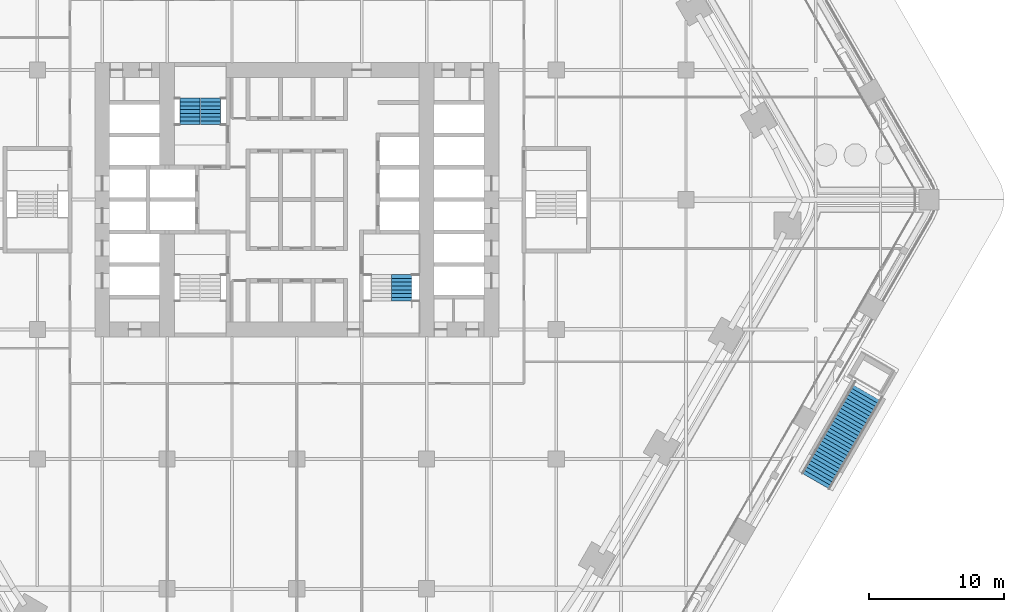
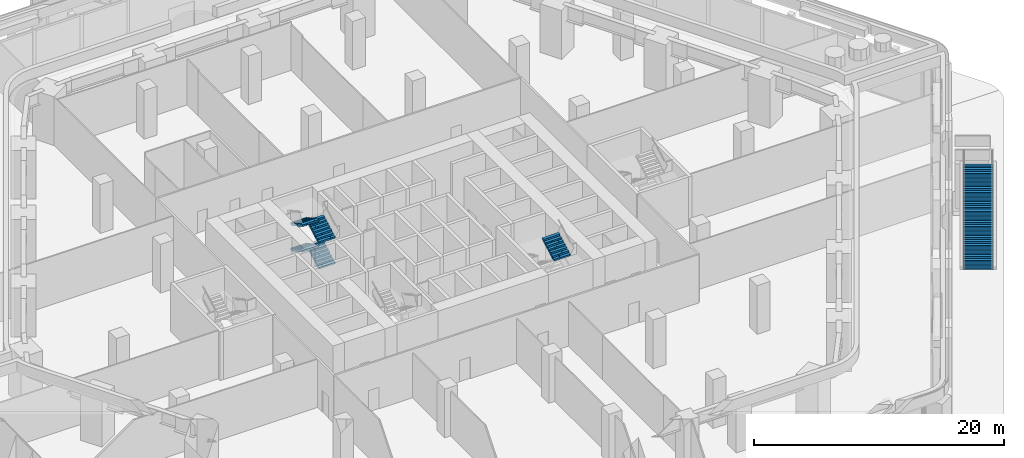
# One storey, part 26 of 34: 6 stair flights, 3 elements without a shape of their own.
"""IFC4 building model written with IfcOpenShell, lengths in metres."""

from ifc_helpers import new_model, si_unit, direction, frame, origin, place, context, subcontext, project, spatial, polyline, outline, extrude, material, type_object, element, aggregate, save


model = new_model("IFC4")

# Units and contexts
model_context = context("Model", 3, precision=1e-05, world=origin(), true_north=direction((0.0, 1.0)))
body_context = subcontext(model_context, "Body", "Model", "MODEL_VIEW")
ifc_project = project(units=[si_unit("LENGTHUNIT", "METRE"), si_unit("AREAUNIT", "SQUARE_METRE"), si_unit("VOLUMEUNIT", "CUBIC_METRE"), si_unit("PLANEANGLEUNIT", "RADIAN"), si_unit("MASSUNIT", "GRAM", prefix="KILO")], contexts=[model_context])

# Site, building, storey
site_placement = place(None, origin())
site = spatial("IfcSite", under=ifc_project, at=site_placement, CompositionType="ELEMENT")
building_placement = place(site_placement, origin())
building = spatial("IfcBuilding", under=site, at=building_placement, Name="Kolab Exchange Tower", CompositionType="ELEMENT")
storey_placement = place(building_placement, frame((0.0, 0.0, 12.39990234375)))
storey = spatial("IfcBuildingStorey", under=building, at=storey_placement, Name="L02", CompositionType="ELEMENT", Elevation=12.39990234375)

# Stair, stair flight
ifc_material_1 = material(Name="Concrete C40/50", Category="concrete")
stair_type_1 = type_object("IfcStairType", Name="GARDEN STAIR RUN A", PredefinedType="STRAIGHT_RUN_STAIR", material=ifc_material_1)
stair_1_placement = place(storey_placement, origin())
stair_1 = element("IfcStair", 1, at=stair_1_placement, inside=storey, type_object=stair_type_1, Name="Garden stair GS3 run A", PredefinedType="STRAIGHT_RUN_STAIR")
stair_flight_type_1 = type_object("IfcStairFlightType", Name="GARDEN STAIR FLIGHT A", PredefinedType="STRAIGHT", material=ifc_material_1)
stair_flight_1_placement = place(storey_placement, frame((38.398681640625, -20.830078125, 0.0), z_axis=(0.0, 0.0, 1.0), x_axis=(0.5, 0.866025403784, 0.0)))
stair_flight_1 = element("IfcStairFlight", 2, at=stair_flight_1_placement, type_object=stair_flight_type_1, Name="GS3 flight 1", NumberOfRisers=29, NumberOfTreads=28, PredefinedType="STRAIGHT", RiserHeight=0.172414, TreadLength=0.28, context=body_context, shape_type="SweptSolid", body=[
    extrude(outline(polyline([(0.0, 0.0), (0.0, 0.17236328125), (0.280029296875, 0.17236328125), (0.280029296875, 0.3447265625), (0.56005859375, 0.3447265625), (0.56005859375, 0.517333984375), (0.840087890625, 0.517333984375), (0.840087890625, 0.689697265625), (1.1201171875, 0.689697265625), (1.1201171875, 0.862060546875), (1.39990234375, 0.862060546875), (1.39990234375, 1.034423828125), (1.679931640625, 1.034423828125), (1.679931640625, 1.206787109375), (1.9599609375, 1.206787109375), (1.9599609375, 1.37939453125), (2.239990234375, 1.37939453125), (2.239990234375, 1.5517578125), (2.52001953125, 1.5517578125), (2.52001953125, 1.72412109375), (2.800048828125, 1.72412109375), (2.800048828125, 1.896484375), (3.080078125, 1.896484375), (3.080078125, 2.06884765625), (3.360107421875, 2.06884765625), (3.360107421875, 2.241455078125), (3.639892578125, 2.241455078125), (3.639892578125, 2.413818359375), (3.919921875, 2.413818359375), (3.919921875, 2.586181640625), (4.199951171875, 2.586181640625), (4.199951171875, 2.758544921875), (4.47998046875, 2.758544921875), (4.47998046875, 2.93115234375), (4.760009765625, 2.93115234375), (4.760009765625, 3.103515625), (5.0400390625, 3.103515625), (5.0400390625, 3.27587890625), (5.320068359375, 3.27587890625), (5.320068359375, 3.4482421875), (5.60009765625, 3.4482421875), (5.60009765625, 3.62060546875), (5.8798828125, 3.62060546875), (5.8798828125, 3.793212890625), (6.159912109375, 3.793212890625), (6.159912109375, 3.965576171875), (6.43994140625, 3.965576171875), (6.43994140625, 4.137939453125), (6.719970703125, 4.137939453125), (6.719970703125, 4.310302734375), (7.0, 4.310302734375), (7.0, 4.482666015625), (7.280029296875, 4.482666015625), (7.280029296875, 4.6552734375), (7.56005859375, 4.6552734375), (7.56005859375, 4.82763671875), (7.840087890625, 4.82763671875), (7.840087890625, 5.0), (7.840087890625, 4.651611328125), (0.285888671875, 0.0), (0.0, 0.0)])), frame((0.0, 1.199951171875, 0.0), z_axis=(0.0, -1.0, 0.0), x_axis=(1.0, 0.0, 0.0)), (0.0, 0.0, 1.0), 2.39990234375),
])
aggregate(stair_1, [stair_flight_1])

# Stair, stair flights
ifc_material_2 = material(Name="Concrete C50/60", Category="concrete")
stair_type_2 = type_object("IfcStairType", Name="STAIR ST1 RISER 156.2", PredefinedType="DOUBLE_RETURN_STAIR", material=ifc_material_2)
stair_2_placement = place(storey_placement, origin())
stair_2 = element("IfcStair", 3, at=stair_2_placement, inside=storey, type_object=stair_type_2, Name="Stair 1", PredefinedType="DOUBLE_RETURN_STAIR")
stair_flight_type_2 = type_object("IfcStairFlightType", Name="STAIR FLIGHT 1500 RISER 156.2", PredefinedType="STRAIGHT", material=ifc_material_2)
stair_flight_2_placement = place(storey_placement, frame((-6.389892578125, 5.550048828125, 0.0), z_axis=(0.0, 0.0, 1.0), x_axis=(0.0, 1.0, 0.0)))
stair_flight_2 = element("IfcStairFlight", 4, at=stair_flight_2_placement, type_object=stair_flight_type_2, Name="ST1 flight 1", NumberOfRisers=8, NumberOfTreads=7, PredefinedType="STRAIGHT", RiserHeight=0.15625, TreadLength=0.28, context=body_context, shape_type="SweptSolid", body=[
    extrude(outline(polyline([(0.0, 0.0), (0.0, 0.15625), (0.280029296875, 0.15625), (0.280029296875, 0.3125), (0.56005859375, 0.3125), (0.56005859375, 0.46875), (0.840087890625, 0.46875), (0.840087890625, 0.625), (1.1201171875, 0.625), (1.1201171875, 0.78125), (1.39990234375, 0.78125), (1.39990234375, 0.9375), (1.679931640625, 0.9375), (1.679931640625, 1.09375), (1.9599609375, 1.09375), (1.9599609375, 1.25), (1.9599609375, 0.922119140625), (0.3076171875, 0.0), (0.0, 0.0)])), frame((0.0, 0.75, 0.0), z_axis=(0.0, -1.0, 0.0), x_axis=(1.0, 0.0, 0.0)), (0.0, 0.0, 1.0), 0.185791015625),
    extrude(outline(polyline([(0.0, 0.0), (0.0, 0.15625), (0.280029296875, 0.15625), (0.280029296875, 0.3125), (0.56005859375, 0.3125), (0.56005859375, 0.46875), (0.840087890625, 0.46875), (0.840087890625, 0.625), (1.1201171875, 0.625), (1.1201171875, 0.78125), (1.39990234375, 0.78125), (1.39990234375, 0.9375), (1.679931640625, 0.9375), (1.679931640625, 1.09375), (1.9599609375, 1.09375), (1.9599609375, 1.25), (1.9599609375, 0.922119140625), (0.3076171875, 0.0), (0.0, 0.0)])), frame((0.0, 0.562255859375, 0.0), z_axis=(0.0, -1.0, 0.0), x_axis=(1.0, 0.0, 0.0)), (0.0, 0.0, 1.0), 0.185791015625),
    extrude(outline(polyline([(0.0, 0.0), (0.0, 0.15625), (0.280029296875, 0.15625), (0.280029296875, 0.3125), (0.56005859375, 0.3125), (0.56005859375, 0.46875), (0.840087890625, 0.46875), (0.840087890625, 0.625), (1.1201171875, 0.625), (1.1201171875, 0.78125), (1.39990234375, 0.78125), (1.39990234375, 0.9375), (1.679931640625, 0.9375), (1.679931640625, 1.09375), (1.9599609375, 1.09375), (1.9599609375, 1.25), (1.9599609375, 0.922119140625), (0.3076171875, 0.0), (0.0, 0.0)])), frame((0.0, 0.37451171875, 0.0), z_axis=(0.0, -1.0, 0.0), x_axis=(1.0, 0.0, 0.0)), (0.0, 0.0, 1.0), 0.185791015625),
    extrude(outline(polyline([(0.0, 0.0), (0.0, 0.15625), (0.280029296875, 0.15625), (0.280029296875, 0.3125), (0.56005859375, 0.3125), (0.56005859375, 0.46875), (0.840087890625, 0.46875), (0.840087890625, 0.625), (1.1201171875, 0.625), (1.1201171875, 0.78125), (1.39990234375, 0.78125), (1.39990234375, 0.9375), (1.679931640625, 0.9375), (1.679931640625, 1.09375), (1.9599609375, 1.09375), (1.9599609375, 1.25), (1.9599609375, 0.922119140625), (0.3076171875, 0.0), (0.0, 0.0)])), frame((0.0, 0.186767578125, 0.0), z_axis=(0.0, -1.0, 0.0), x_axis=(1.0, 0.0, 0.0)), (0.0, 0.0, 1.0), 0.185791015625),
    extrude(outline(polyline([(0.0, 0.0), (0.0, 0.15625), (0.280029296875, 0.15625), (0.280029296875, 0.3125), (0.56005859375, 0.3125), (0.56005859375, 0.46875), (0.840087890625, 0.46875), (0.840087890625, 0.625), (1.1201171875, 0.625), (1.1201171875, 0.78125), (1.39990234375, 0.78125), (1.39990234375, 0.9375), (1.679931640625, 0.9375), (1.679931640625, 1.09375), (1.9599609375, 1.09375), (1.9599609375, 1.25), (1.9599609375, 0.922119140625), (0.3076171875, 0.0), (0.0, 0.0)])), frame((0.0, -0.0009765625, 0.0), z_axis=(0.0, -1.0, 0.0), x_axis=(1.0, 0.0, 0.0)), (0.0, 0.0, 1.0), 0.185791015625),
    extrude(outline(polyline([(0.0, 0.0), (0.0, 0.15625), (0.280029296875, 0.15625), (0.280029296875, 0.3125), (0.56005859375, 0.3125), (0.56005859375, 0.46875), (0.840087890625, 0.46875), (0.840087890625, 0.625), (1.1201171875, 0.625), (1.1201171875, 0.78125), (1.39990234375, 0.78125), (1.39990234375, 0.9375), (1.679931640625, 0.9375), (1.679931640625, 1.09375), (1.9599609375, 1.09375), (1.9599609375, 1.25), (1.9599609375, 0.922119140625), (0.3076171875, 0.0), (0.0, 0.0)])), frame((0.0, -0.188720703125, 0.0), z_axis=(0.0, -1.0, 0.0), x_axis=(1.0, 0.0, 0.0)), (0.0, 0.0, 1.0), 0.185791015625),
    extrude(outline(polyline([(0.0, 0.0), (0.0, 0.15625), (0.280029296875, 0.15625), (0.280029296875, 0.3125), (0.56005859375, 0.3125), (0.56005859375, 0.46875), (0.840087890625, 0.46875), (0.840087890625, 0.625), (1.1201171875, 0.625), (1.1201171875, 0.78125), (1.39990234375, 0.78125), (1.39990234375, 0.9375), (1.679931640625, 0.9375), (1.679931640625, 1.09375), (1.9599609375, 1.09375), (1.9599609375, 1.25), (1.9599609375, 0.922119140625), (0.3076171875, 0.0), (0.0, 0.0)])), frame((0.0, -0.37646484375, 0.0), z_axis=(0.0, -1.0, 0.0), x_axis=(1.0, 0.0, 0.0)), (0.0, 0.0, 1.0), 0.185791015625),
    extrude(outline(polyline([(0.0, 0.0), (0.0, 0.15625), (0.280029296875, 0.15625), (0.280029296875, 0.3125), (0.56005859375, 0.3125), (0.56005859375, 0.46875), (0.840087890625, 0.46875), (0.840087890625, 0.625), (1.1201171875, 0.625), (1.1201171875, 0.78125), (1.39990234375, 0.78125), (1.39990234375, 0.9375), (1.679931640625, 0.9375), (1.679931640625, 1.09375), (1.9599609375, 1.09375), (1.9599609375, 1.25), (1.9599609375, 0.922119140625), (0.3076171875, 0.0), (0.0, 0.0)])), frame((0.0, -0.564208984375, 0.0), z_axis=(0.0, -1.0, 0.0), x_axis=(1.0, 0.0, 0.0)), (0.0, 0.0, 1.0), 0.185791015625),
])
stair_flight_3_placement = place(storey_placement, frame((-7.909912109375, 7.510009765625, 1.25), z_axis=(0.0, 0.0, 1.0), x_axis=(0.0, -1.0, 0.0)))
stair_flight_3 = element("IfcStairFlight", 5, at=stair_flight_3_placement, type_object=stair_flight_type_2, Name="ST1 flight 2", NumberOfRisers=8, NumberOfTreads=7, PredefinedType="STRAIGHT", RiserHeight=0.15625, TreadLength=0.28, context=body_context, shape_type="SweptSolid", body=[
    extrude(outline(polyline([(0.0, 0.0), (0.0, 0.15625), (0.280029296875, 0.15625), (0.280029296875, 0.3125), (0.56005859375, 0.3125), (0.56005859375, 0.46875), (0.840087890625, 0.46875), (0.840087890625, 0.625), (1.1201171875, 0.625), (1.1201171875, 0.78125), (1.39990234375, 0.78125), (1.39990234375, 0.9375), (1.679931640625, 0.9375), (1.679931640625, 1.09375), (1.9599609375, 1.09375), (1.9599609375, 1.25), (1.9599609375, 0.922119140625), (0.3076171875, 0.0), (0.0, 0.0)])), frame((0.0, 0.75, 0.0), z_axis=(0.0, -1.0, 0.0), x_axis=(1.0, 0.0, 0.0)), (0.0, 0.0, 1.0), 0.185791015625),
    extrude(outline(polyline([(0.0, 0.0), (0.0, 0.15625), (0.280029296875, 0.15625), (0.280029296875, 0.3125), (0.56005859375, 0.3125), (0.56005859375, 0.46875), (0.840087890625, 0.46875), (0.840087890625, 0.625), (1.1201171875, 0.625), (1.1201171875, 0.78125), (1.39990234375, 0.78125), (1.39990234375, 0.9375), (1.679931640625, 0.9375), (1.679931640625, 1.09375), (1.9599609375, 1.09375), (1.9599609375, 1.25), (1.9599609375, 0.922119140625), (0.3076171875, 0.0), (0.0, 0.0)])), frame((0.0, 0.562255859375, 0.0), z_axis=(0.0, -1.0, 0.0), x_axis=(1.0, 0.0, 0.0)), (0.0, 0.0, 1.0), 0.185791015625),
    extrude(outline(polyline([(0.0, 0.0), (0.0, 0.15625), (0.280029296875, 0.15625), (0.280029296875, 0.3125), (0.56005859375, 0.3125), (0.56005859375, 0.46875), (0.840087890625, 0.46875), (0.840087890625, 0.625), (1.1201171875, 0.625), (1.1201171875, 0.78125), (1.39990234375, 0.78125), (1.39990234375, 0.9375), (1.679931640625, 0.9375), (1.679931640625, 1.09375), (1.9599609375, 1.09375), (1.9599609375, 1.25), (1.9599609375, 0.922119140625), (0.3076171875, 0.0), (0.0, 0.0)])), frame((0.0, 0.37451171875, 0.0), z_axis=(0.0, -1.0, 0.0), x_axis=(1.0, 0.0, 0.0)), (0.0, 0.0, 1.0), 0.185791015625),
    extrude(outline(polyline([(0.0, 0.0), (0.0, 0.15625), (0.280029296875, 0.15625), (0.280029296875, 0.3125), (0.56005859375, 0.3125), (0.56005859375, 0.46875), (0.840087890625, 0.46875), (0.840087890625, 0.625), (1.1201171875, 0.625), (1.1201171875, 0.78125), (1.39990234375, 0.78125), (1.39990234375, 0.9375), (1.679931640625, 0.9375), (1.679931640625, 1.09375), (1.9599609375, 1.09375), (1.9599609375, 1.25), (1.9599609375, 0.922119140625), (0.3076171875, 0.0), (0.0, 0.0)])), frame((0.0, 0.186767578125, 0.0), z_axis=(0.0, -1.0, 0.0), x_axis=(1.0, 0.0, 0.0)), (0.0, 0.0, 1.0), 0.185791015625),
    extrude(outline(polyline([(0.0, 0.0), (0.0, 0.15625), (0.280029296875, 0.15625), (0.280029296875, 0.3125), (0.56005859375, 0.3125), (0.56005859375, 0.46875), (0.840087890625, 0.46875), (0.840087890625, 0.625), (1.1201171875, 0.625), (1.1201171875, 0.78125), (1.39990234375, 0.78125), (1.39990234375, 0.9375), (1.679931640625, 0.9375), (1.679931640625, 1.09375), (1.9599609375, 1.09375), (1.9599609375, 1.25), (1.9599609375, 0.922119140625), (0.3076171875, 0.0), (0.0, 0.0)])), frame((0.0, -0.0009765625, 0.0), z_axis=(0.0, -1.0, 0.0), x_axis=(1.0, 0.0, 0.0)), (0.0, 0.0, 1.0), 0.185791015625),
    extrude(outline(polyline([(0.0, 0.0), (0.0, 0.15625), (0.280029296875, 0.15625), (0.280029296875, 0.3125), (0.56005859375, 0.3125), (0.56005859375, 0.46875), (0.840087890625, 0.46875), (0.840087890625, 0.625), (1.1201171875, 0.625), (1.1201171875, 0.78125), (1.39990234375, 0.78125), (1.39990234375, 0.9375), (1.679931640625, 0.9375), (1.679931640625, 1.09375), (1.9599609375, 1.09375), (1.9599609375, 1.25), (1.9599609375, 0.922119140625), (0.3076171875, 0.0), (0.0, 0.0)])), frame((0.0, -0.188720703125, 0.0), z_axis=(0.0, -1.0, 0.0), x_axis=(1.0, 0.0, 0.0)), (0.0, 0.0, 1.0), 0.185791015625),
    extrude(outline(polyline([(0.0, 0.0), (0.0, 0.15625), (0.280029296875, 0.15625), (0.280029296875, 0.3125), (0.56005859375, 0.3125), (0.56005859375, 0.46875), (0.840087890625, 0.46875), (0.840087890625, 0.625), (1.1201171875, 0.625), (1.1201171875, 0.78125), (1.39990234375, 0.78125), (1.39990234375, 0.9375), (1.679931640625, 0.9375), (1.679931640625, 1.09375), (1.9599609375, 1.09375), (1.9599609375, 1.25), (1.9599609375, 0.922119140625), (0.3076171875, 0.0), (0.0, 0.0)])), frame((0.0, -0.37646484375, 0.0), z_axis=(0.0, -1.0, 0.0), x_axis=(1.0, 0.0, 0.0)), (0.0, 0.0, 1.0), 0.185791015625),
    extrude(outline(polyline([(0.0, 0.0), (0.0, 0.15625), (0.280029296875, 0.15625), (0.280029296875, 0.3125), (0.56005859375, 0.3125), (0.56005859375, 0.46875), (0.840087890625, 0.46875), (0.840087890625, 0.625), (1.1201171875, 0.625), (1.1201171875, 0.78125), (1.39990234375, 0.78125), (1.39990234375, 0.9375), (1.679931640625, 0.9375), (1.679931640625, 1.09375), (1.9599609375, 1.09375), (1.9599609375, 1.25), (1.9599609375, 0.922119140625), (0.3076171875, 0.0), (0.0, 0.0)])), frame((0.0, -0.564208984375, 0.0), z_axis=(0.0, -1.0, 0.0), x_axis=(1.0, 0.0, 0.0)), (0.0, 0.0, 1.0), 0.185791015625),
])
stair_flight_4_placement = place(storey_placement, frame((-6.389892578125, 5.550048828125, 2.5), z_axis=(0.0, 0.0, 1.0), x_axis=(0.0, 1.0, 0.0)))
stair_flight_4 = element("IfcStairFlight", 6, at=stair_flight_4_placement, type_object=stair_flight_type_2, Name="ST1 flight 3", NumberOfRisers=8, NumberOfTreads=7, PredefinedType="STRAIGHT", RiserHeight=0.15625, TreadLength=0.28, context=body_context, shape_type="SweptSolid", body=[
    extrude(outline(polyline([(0.0, 0.0), (0.0, 0.15625), (0.280029296875, 0.15625), (0.280029296875, 0.3125), (0.56005859375, 0.3125), (0.56005859375, 0.46875), (0.840087890625, 0.46875), (0.840087890625, 0.625), (1.1201171875, 0.625), (1.1201171875, 0.78125), (1.39990234375, 0.78125), (1.39990234375, 0.9375), (1.679931640625, 0.9375), (1.679931640625, 1.09375), (1.9599609375, 1.09375), (1.9599609375, 1.25), (1.9599609375, 0.922119140625), (0.3076171875, 0.0), (0.0, 0.0)])), frame((0.0, 0.75, 0.0), z_axis=(0.0, -1.0, 0.0), x_axis=(1.0, 0.0, 0.0)), (0.0, 0.0, 1.0), 0.185791015625),
    extrude(outline(polyline([(0.0, 0.0), (0.0, 0.15625), (0.280029296875, 0.15625), (0.280029296875, 0.3125), (0.56005859375, 0.3125), (0.56005859375, 0.46875), (0.840087890625, 0.46875), (0.840087890625, 0.625), (1.1201171875, 0.625), (1.1201171875, 0.78125), (1.39990234375, 0.78125), (1.39990234375, 0.9375), (1.679931640625, 0.9375), (1.679931640625, 1.09375), (1.9599609375, 1.09375), (1.9599609375, 1.25), (1.9599609375, 0.922119140625), (0.3076171875, 0.0), (0.0, 0.0)])), frame((0.0, 0.562255859375, 0.0), z_axis=(0.0, -1.0, 0.0), x_axis=(1.0, 0.0, 0.0)), (0.0, 0.0, 1.0), 0.185791015625),
    extrude(outline(polyline([(0.0, 0.0), (0.0, 0.15625), (0.280029296875, 0.15625), (0.280029296875, 0.3125), (0.56005859375, 0.3125), (0.56005859375, 0.46875), (0.840087890625, 0.46875), (0.840087890625, 0.625), (1.1201171875, 0.625), (1.1201171875, 0.78125), (1.39990234375, 0.78125), (1.39990234375, 0.9375), (1.679931640625, 0.9375), (1.679931640625, 1.09375), (1.9599609375, 1.09375), (1.9599609375, 1.25), (1.9599609375, 0.922119140625), (0.3076171875, 0.0), (0.0, 0.0)])), frame((0.0, 0.37451171875, 0.0), z_axis=(0.0, -1.0, 0.0), x_axis=(1.0, 0.0, 0.0)), (0.0, 0.0, 1.0), 0.185791015625),
    extrude(outline(polyline([(0.0, 0.0), (0.0, 0.15625), (0.280029296875, 0.15625), (0.280029296875, 0.3125), (0.56005859375, 0.3125), (0.56005859375, 0.46875), (0.840087890625, 0.46875), (0.840087890625, 0.625), (1.1201171875, 0.625), (1.1201171875, 0.78125), (1.39990234375, 0.78125), (1.39990234375, 0.9375), (1.679931640625, 0.9375), (1.679931640625, 1.09375), (1.9599609375, 1.09375), (1.9599609375, 1.25), (1.9599609375, 0.922119140625), (0.3076171875, 0.0), (0.0, 0.0)])), frame((0.0, 0.186767578125, 0.0), z_axis=(0.0, -1.0, 0.0), x_axis=(1.0, 0.0, 0.0)), (0.0, 0.0, 1.0), 0.185791015625),
    extrude(outline(polyline([(0.0, 0.0), (0.0, 0.15625), (0.280029296875, 0.15625), (0.280029296875, 0.3125), (0.56005859375, 0.3125), (0.56005859375, 0.46875), (0.840087890625, 0.46875), (0.840087890625, 0.625), (1.1201171875, 0.625), (1.1201171875, 0.78125), (1.39990234375, 0.78125), (1.39990234375, 0.9375), (1.679931640625, 0.9375), (1.679931640625, 1.09375), (1.9599609375, 1.09375), (1.9599609375, 1.25), (1.9599609375, 0.922119140625), (0.3076171875, 0.0), (0.0, 0.0)])), frame((0.0, -0.0009765625, 0.0), z_axis=(0.0, -1.0, 0.0), x_axis=(1.0, 0.0, 0.0)), (0.0, 0.0, 1.0), 0.185791015625),
    extrude(outline(polyline([(0.0, 0.0), (0.0, 0.15625), (0.280029296875, 0.15625), (0.280029296875, 0.3125), (0.56005859375, 0.3125), (0.56005859375, 0.46875), (0.840087890625, 0.46875), (0.840087890625, 0.625), (1.1201171875, 0.625), (1.1201171875, 0.78125), (1.39990234375, 0.78125), (1.39990234375, 0.9375), (1.679931640625, 0.9375), (1.679931640625, 1.09375), (1.9599609375, 1.09375), (1.9599609375, 1.25), (1.9599609375, 0.922119140625), (0.3076171875, 0.0), (0.0, 0.0)])), frame((0.0, -0.188720703125, 0.0), z_axis=(0.0, -1.0, 0.0), x_axis=(1.0, 0.0, 0.0)), (0.0, 0.0, 1.0), 0.185791015625),
    extrude(outline(polyline([(0.0, 0.0), (0.0, 0.15625), (0.280029296875, 0.15625), (0.280029296875, 0.3125), (0.56005859375, 0.3125), (0.56005859375, 0.46875), (0.840087890625, 0.46875), (0.840087890625, 0.625), (1.1201171875, 0.625), (1.1201171875, 0.78125), (1.39990234375, 0.78125), (1.39990234375, 0.9375), (1.679931640625, 0.9375), (1.679931640625, 1.09375), (1.9599609375, 1.09375), (1.9599609375, 1.25), (1.9599609375, 0.922119140625), (0.3076171875, 0.0), (0.0, 0.0)])), frame((0.0, -0.37646484375, 0.0), z_axis=(0.0, -1.0, 0.0), x_axis=(1.0, 0.0, 0.0)), (0.0, 0.0, 1.0), 0.185791015625),
    extrude(outline(polyline([(0.0, 0.0), (0.0, 0.15625), (0.280029296875, 0.15625), (0.280029296875, 0.3125), (0.56005859375, 0.3125), (0.56005859375, 0.46875), (0.840087890625, 0.46875), (0.840087890625, 0.625), (1.1201171875, 0.625), (1.1201171875, 0.78125), (1.39990234375, 0.78125), (1.39990234375, 0.9375), (1.679931640625, 0.9375), (1.679931640625, 1.09375), (1.9599609375, 1.09375), (1.9599609375, 1.25), (1.9599609375, 0.922119140625), (0.3076171875, 0.0), (0.0, 0.0)])), frame((0.0, -0.564208984375, 0.0), z_axis=(0.0, -1.0, 0.0), x_axis=(1.0, 0.0, 0.0)), (0.0, 0.0, 1.0), 0.185791015625),
])
stair_flight_5_placement = place(storey_placement, frame((-7.909912109375, 7.510009765625, 3.75), z_axis=(0.0, 0.0, 1.0), x_axis=(0.0, -1.0, 0.0)))
stair_flight_5 = element("IfcStairFlight", 7, at=stair_flight_5_placement, type_object=stair_flight_type_2, Name="ST1 flight 4", NumberOfRisers=8, NumberOfTreads=7, PredefinedType="STRAIGHT", RiserHeight=0.15625, TreadLength=0.28, context=body_context, shape_type="SweptSolid", body=[
    extrude(outline(polyline([(0.0, 0.0), (0.0, 0.15625), (0.280029296875, 0.15625), (0.280029296875, 0.3125), (0.56005859375, 0.3125), (0.56005859375, 0.46875), (0.840087890625, 0.46875), (0.840087890625, 0.625), (1.1201171875, 0.625), (1.1201171875, 0.78125), (1.39990234375, 0.78125), (1.39990234375, 0.9375), (1.679931640625, 0.9375), (1.679931640625, 1.09375), (1.9599609375, 1.09375), (1.9599609375, 1.25), (1.9599609375, 0.922119140625), (0.3076171875, 0.0), (0.0, 0.0)])), frame((0.0, 0.75, 0.0), z_axis=(0.0, -1.0, 0.0), x_axis=(1.0, 0.0, 0.0)), (0.0, 0.0, 1.0), 0.185791015625),
    extrude(outline(polyline([(0.0, 0.0), (0.0, 0.15625), (0.280029296875, 0.15625), (0.280029296875, 0.3125), (0.56005859375, 0.3125), (0.56005859375, 0.46875), (0.840087890625, 0.46875), (0.840087890625, 0.625), (1.1201171875, 0.625), (1.1201171875, 0.78125), (1.39990234375, 0.78125), (1.39990234375, 0.9375), (1.679931640625, 0.9375), (1.679931640625, 1.09375), (1.9599609375, 1.09375), (1.9599609375, 1.25), (1.9599609375, 0.922119140625), (0.3076171875, 0.0), (0.0, 0.0)])), frame((0.0, 0.562255859375, 0.0), z_axis=(0.0, -1.0, 0.0), x_axis=(1.0, 0.0, 0.0)), (0.0, 0.0, 1.0), 0.185791015625),
    extrude(outline(polyline([(0.0, 0.0), (0.0, 0.15625), (0.280029296875, 0.15625), (0.280029296875, 0.3125), (0.56005859375, 0.3125), (0.56005859375, 0.46875), (0.840087890625, 0.46875), (0.840087890625, 0.625), (1.1201171875, 0.625), (1.1201171875, 0.78125), (1.39990234375, 0.78125), (1.39990234375, 0.9375), (1.679931640625, 0.9375), (1.679931640625, 1.09375), (1.9599609375, 1.09375), (1.9599609375, 1.25), (1.9599609375, 0.922119140625), (0.3076171875, 0.0), (0.0, 0.0)])), frame((0.0, 0.37451171875, 0.0), z_axis=(0.0, -1.0, 0.0), x_axis=(1.0, 0.0, 0.0)), (0.0, 0.0, 1.0), 0.185791015625),
    extrude(outline(polyline([(0.0, 0.0), (0.0, 0.15625), (0.280029296875, 0.15625), (0.280029296875, 0.3125), (0.56005859375, 0.3125), (0.56005859375, 0.46875), (0.840087890625, 0.46875), (0.840087890625, 0.625), (1.1201171875, 0.625), (1.1201171875, 0.78125), (1.39990234375, 0.78125), (1.39990234375, 0.9375), (1.679931640625, 0.9375), (1.679931640625, 1.09375), (1.9599609375, 1.09375), (1.9599609375, 1.25), (1.9599609375, 0.922119140625), (0.3076171875, 0.0), (0.0, 0.0)])), frame((0.0, 0.186767578125, 0.0), z_axis=(0.0, -1.0, 0.0), x_axis=(1.0, 0.0, 0.0)), (0.0, 0.0, 1.0), 0.185791015625),
    extrude(outline(polyline([(0.0, 0.0), (0.0, 0.15625), (0.280029296875, 0.15625), (0.280029296875, 0.3125), (0.56005859375, 0.3125), (0.56005859375, 0.46875), (0.840087890625, 0.46875), (0.840087890625, 0.625), (1.1201171875, 0.625), (1.1201171875, 0.78125), (1.39990234375, 0.78125), (1.39990234375, 0.9375), (1.679931640625, 0.9375), (1.679931640625, 1.09375), (1.9599609375, 1.09375), (1.9599609375, 1.25), (1.9599609375, 0.922119140625), (0.3076171875, 0.0), (0.0, 0.0)])), frame((0.0, -0.0009765625, 0.0), z_axis=(0.0, -1.0, 0.0), x_axis=(1.0, 0.0, 0.0)), (0.0, 0.0, 1.0), 0.185791015625),
    extrude(outline(polyline([(0.0, 0.0), (0.0, 0.15625), (0.280029296875, 0.15625), (0.280029296875, 0.3125), (0.56005859375, 0.3125), (0.56005859375, 0.46875), (0.840087890625, 0.46875), (0.840087890625, 0.625), (1.1201171875, 0.625), (1.1201171875, 0.78125), (1.39990234375, 0.78125), (1.39990234375, 0.9375), (1.679931640625, 0.9375), (1.679931640625, 1.09375), (1.9599609375, 1.09375), (1.9599609375, 1.25), (1.9599609375, 0.922119140625), (0.3076171875, 0.0), (0.0, 0.0)])), frame((0.0, -0.188720703125, 0.0), z_axis=(0.0, -1.0, 0.0), x_axis=(1.0, 0.0, 0.0)), (0.0, 0.0, 1.0), 0.185791015625),
    extrude(outline(polyline([(0.0, 0.0), (0.0, 0.15625), (0.280029296875, 0.15625), (0.280029296875, 0.3125), (0.56005859375, 0.3125), (0.56005859375, 0.46875), (0.840087890625, 0.46875), (0.840087890625, 0.625), (1.1201171875, 0.625), (1.1201171875, 0.78125), (1.39990234375, 0.78125), (1.39990234375, 0.9375), (1.679931640625, 0.9375), (1.679931640625, 1.09375), (1.9599609375, 1.09375), (1.9599609375, 1.25), (1.9599609375, 0.922119140625), (0.3076171875, 0.0), (0.0, 0.0)])), frame((0.0, -0.37646484375, 0.0), z_axis=(0.0, -1.0, 0.0), x_axis=(1.0, 0.0, 0.0)), (0.0, 0.0, 1.0), 0.185791015625),
    extrude(outline(polyline([(0.0, 0.0), (0.0, 0.15625), (0.280029296875, 0.15625), (0.280029296875, 0.3125), (0.56005859375, 0.3125), (0.56005859375, 0.46875), (0.840087890625, 0.46875), (0.840087890625, 0.625), (1.1201171875, 0.625), (1.1201171875, 0.78125), (1.39990234375, 0.78125), (1.39990234375, 0.9375), (1.679931640625, 0.9375), (1.679931640625, 1.09375), (1.9599609375, 1.09375), (1.9599609375, 1.25), (1.9599609375, 0.922119140625), (0.3076171875, 0.0), (0.0, 0.0)])), frame((0.0, -0.564208984375, 0.0), z_axis=(0.0, -1.0, 0.0), x_axis=(1.0, 0.0, 0.0)), (0.0, 0.0, 1.0), 0.185791015625),
])
aggregate(stair_2, [stair_flight_2, stair_flight_3, stair_flight_4, stair_flight_5])

# Stair, stair flight
stair_type_3 = type_object("IfcStairType", Name="STAIR ST2 RISER 156.2", PredefinedType="DOUBLE_RETURN_STAIR", material=ifc_material_2)
stair_3_placement = place(storey_placement, origin())
stair_3 = element("IfcStair", 8, at=stair_3_placement, inside=storey, type_object=stair_type_3, Name="Stair 2", PredefinedType="DOUBLE_RETURN_STAIR")
stair_flight_6_placement = place(storey_placement, frame((7.760009765625, -7.510009765625, 3.75), z_axis=(0.0, 0.0, 1.0), x_axis=(0.0, 1.0, 0.0)))
stair_flight_6 = element("IfcStairFlight", 9, at=stair_flight_6_placement, type_object=stair_flight_type_2, Name="ST2 flight 4", NumberOfRisers=8, NumberOfTreads=7, PredefinedType="STRAIGHT", RiserHeight=0.15625, TreadLength=0.28, context=body_context, shape_type="SweptSolid", body=[
    extrude(outline(polyline([(0.0, 0.0), (0.0, 0.15625), (0.280029296875, 0.15625), (0.280029296875, 0.3125), (0.56005859375, 0.3125), (0.56005859375, 0.46875), (0.840087890625, 0.46875), (0.840087890625, 0.625), (1.1201171875, 0.625), (1.1201171875, 0.78125), (1.39990234375, 0.78125), (1.39990234375, 0.9375), (1.679931640625, 0.9375), (1.679931640625, 1.09375), (1.9599609375, 1.09375), (1.9599609375, 1.25), (1.9599609375, 0.922119140625), (0.3076171875, 0.0), (0.0, 0.0)])), frame((0.0, 0.75, 0.0), z_axis=(0.0, -1.0, 0.0), x_axis=(1.0, 0.0, 0.0)), (0.0, 0.0, 1.0), 0.185791015625),
    extrude(outline(polyline([(0.0, 0.0), (0.0, 0.15625), (0.280029296875, 0.15625), (0.280029296875, 0.3125), (0.56005859375, 0.3125), (0.56005859375, 0.46875), (0.840087890625, 0.46875), (0.840087890625, 0.625), (1.1201171875, 0.625), (1.1201171875, 0.78125), (1.39990234375, 0.78125), (1.39990234375, 0.9375), (1.679931640625, 0.9375), (1.679931640625, 1.09375), (1.9599609375, 1.09375), (1.9599609375, 1.25), (1.9599609375, 0.922119140625), (0.3076171875, 0.0), (0.0, 0.0)])), frame((0.0, 0.562255859375, 0.0), z_axis=(0.0, -1.0, 0.0), x_axis=(1.0, 0.0, 0.0)), (0.0, 0.0, 1.0), 0.185791015625),
    extrude(outline(polyline([(0.0, 0.0), (0.0, 0.15625), (0.280029296875, 0.15625), (0.280029296875, 0.3125), (0.56005859375, 0.3125), (0.56005859375, 0.46875), (0.840087890625, 0.46875), (0.840087890625, 0.625), (1.1201171875, 0.625), (1.1201171875, 0.78125), (1.39990234375, 0.78125), (1.39990234375, 0.9375), (1.679931640625, 0.9375), (1.679931640625, 1.09375), (1.9599609375, 1.09375), (1.9599609375, 1.25), (1.9599609375, 0.922119140625), (0.3076171875, 0.0), (0.0, 0.0)])), frame((0.0, 0.37451171875, 0.0), z_axis=(0.0, -1.0, 0.0), x_axis=(1.0, 0.0, 0.0)), (0.0, 0.0, 1.0), 0.185791015625),
    extrude(outline(polyline([(0.0, 0.0), (0.0, 0.15625), (0.280029296875, 0.15625), (0.280029296875, 0.3125), (0.56005859375, 0.3125), (0.56005859375, 0.46875), (0.840087890625, 0.46875), (0.840087890625, 0.625), (1.1201171875, 0.625), (1.1201171875, 0.78125), (1.39990234375, 0.78125), (1.39990234375, 0.9375), (1.679931640625, 0.9375), (1.679931640625, 1.09375), (1.9599609375, 1.09375), (1.9599609375, 1.25), (1.9599609375, 0.922119140625), (0.3076171875, 0.0), (0.0, 0.0)])), frame((0.0, 0.186767578125, 0.0), z_axis=(0.0, -1.0, 0.0), x_axis=(1.0, 0.0, 0.0)), (0.0, 0.0, 1.0), 0.185791015625),
    extrude(outline(polyline([(0.0, 0.0), (0.0, 0.15625), (0.280029296875, 0.15625), (0.280029296875, 0.3125), (0.56005859375, 0.3125), (0.56005859375, 0.46875), (0.840087890625, 0.46875), (0.840087890625, 0.625), (1.1201171875, 0.625), (1.1201171875, 0.78125), (1.39990234375, 0.78125), (1.39990234375, 0.9375), (1.679931640625, 0.9375), (1.679931640625, 1.09375), (1.9599609375, 1.09375), (1.9599609375, 1.25), (1.9599609375, 0.922119140625), (0.3076171875, 0.0), (0.0, 0.0)])), frame((0.0, -0.0009765625, 0.0), z_axis=(0.0, -1.0, 0.0), x_axis=(1.0, 0.0, 0.0)), (0.0, 0.0, 1.0), 0.185791015625),
    extrude(outline(polyline([(0.0, 0.0), (0.0, 0.15625), (0.280029296875, 0.15625), (0.280029296875, 0.3125), (0.56005859375, 0.3125), (0.56005859375, 0.46875), (0.840087890625, 0.46875), (0.840087890625, 0.625), (1.1201171875, 0.625), (1.1201171875, 0.78125), (1.39990234375, 0.78125), (1.39990234375, 0.9375), (1.679931640625, 0.9375), (1.679931640625, 1.09375), (1.9599609375, 1.09375), (1.9599609375, 1.25), (1.9599609375, 0.922119140625), (0.3076171875, 0.0), (0.0, 0.0)])), frame((0.0, -0.188720703125, 0.0), z_axis=(0.0, -1.0, 0.0), x_axis=(1.0, 0.0, 0.0)), (0.0, 0.0, 1.0), 0.185791015625),
    extrude(outline(polyline([(0.0, 0.0), (0.0, 0.15625), (0.280029296875, 0.15625), (0.280029296875, 0.3125), (0.56005859375, 0.3125), (0.56005859375, 0.46875), (0.840087890625, 0.46875), (0.840087890625, 0.625), (1.1201171875, 0.625), (1.1201171875, 0.78125), (1.39990234375, 0.78125), (1.39990234375, 0.9375), (1.679931640625, 0.9375), (1.679931640625, 1.09375), (1.9599609375, 1.09375), (1.9599609375, 1.25), (1.9599609375, 0.922119140625), (0.3076171875, 0.0), (0.0, 0.0)])), frame((0.0, -0.37646484375, 0.0), z_axis=(0.0, -1.0, 0.0), x_axis=(1.0, 0.0, 0.0)), (0.0, 0.0, 1.0), 0.185791015625),
    extrude(outline(polyline([(0.0, 0.0), (0.0, 0.15625), (0.280029296875, 0.15625), (0.280029296875, 0.3125), (0.56005859375, 0.3125), (0.56005859375, 0.46875), (0.840087890625, 0.46875), (0.840087890625, 0.625), (1.1201171875, 0.625), (1.1201171875, 0.78125), (1.39990234375, 0.78125), (1.39990234375, 0.9375), (1.679931640625, 0.9375), (1.679931640625, 1.09375), (1.9599609375, 1.09375), (1.9599609375, 1.25), (1.9599609375, 0.922119140625), (0.3076171875, 0.0), (0.0, 0.0)])), frame((0.0, -0.564208984375, 0.0), z_axis=(0.0, -1.0, 0.0), x_axis=(1.0, 0.0, 0.0)), (0.0, 0.0, 1.0), 0.185791015625),
])
aggregate(stair_3, [stair_flight_6])

save(model, "model.ifc")
